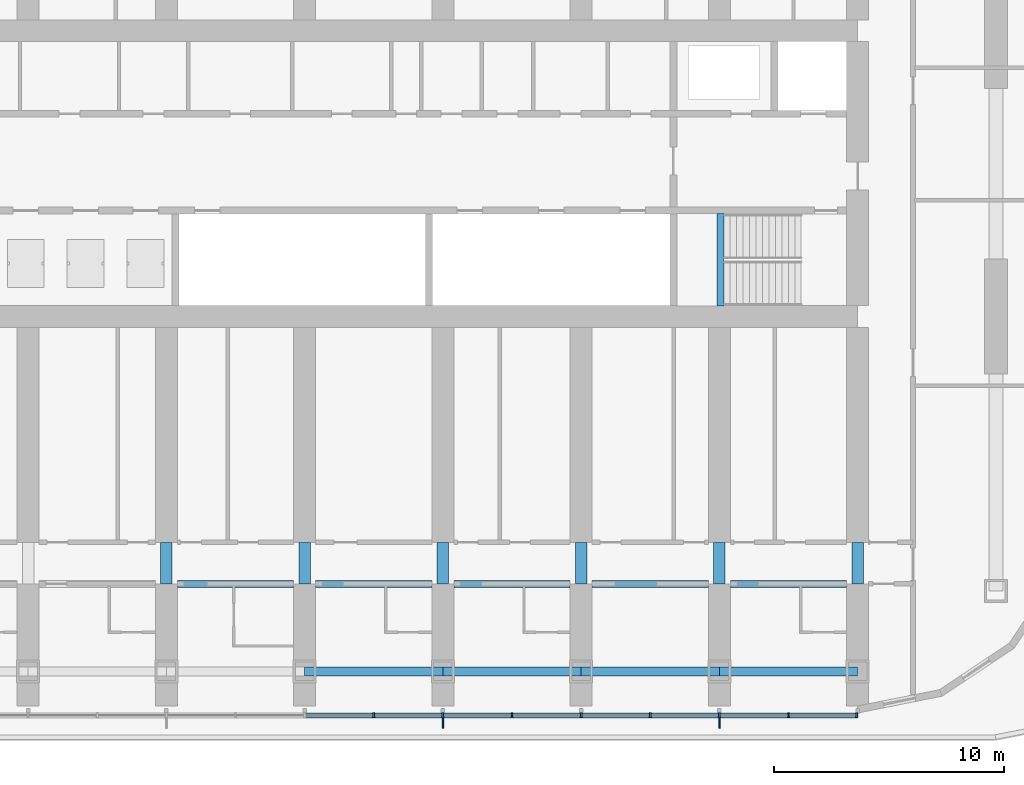
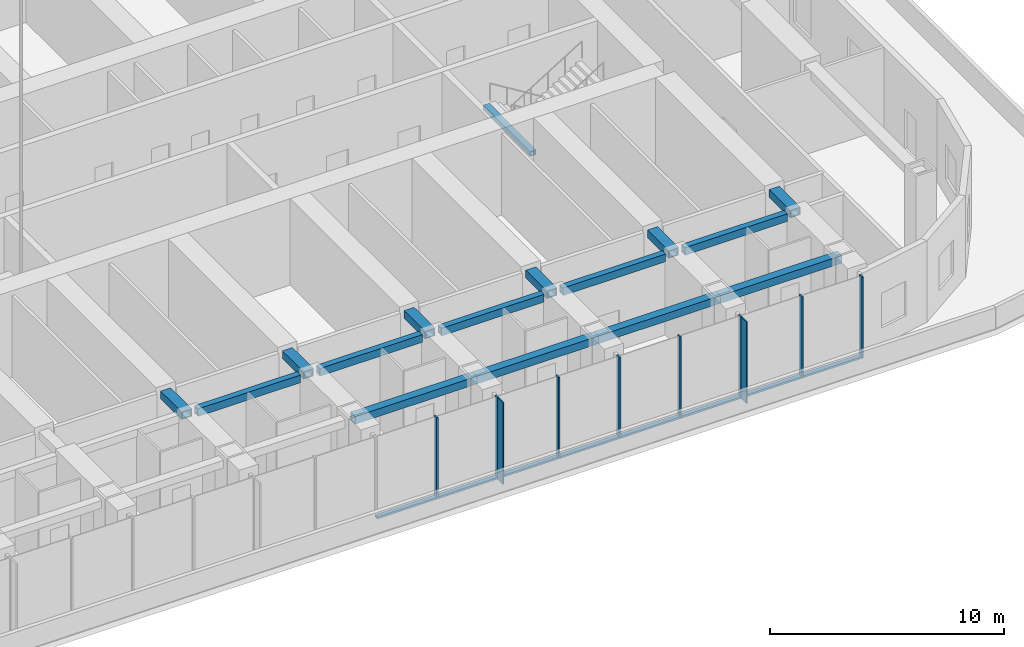
# One storey, part 3 of 31: 18 members, 16 beams, 1 element without a shape of its own.
"""IFC4 building model written with IfcOpenShell, lengths in metres."""

from ifc_helpers import new_model, si_unit, direction, frame, origin, origin_2d, place, context, subcontext, project, spatial, rectangle, hollow_rectangle, extrude, material, material_profile, profile_set, type_object, element, aggregate, save


model = new_model("IFC4")

# Units and contexts
model_context = context("Model", 3, precision=1e-05, world=origin(), true_north=direction((0.0, 1.0)))
body_context = subcontext(model_context, "Body", "Model", "MODEL_VIEW")
ifc_project = project(units=[si_unit("LENGTHUNIT", "METRE"), si_unit("AREAUNIT", "SQUARE_METRE"), si_unit("VOLUMEUNIT", "CUBIC_METRE"), si_unit("PLANEANGLEUNIT", "RADIAN"), si_unit("MASSUNIT", "GRAM", prefix="KILO")], contexts=[model_context])

# Site, building, storey
site_placement = place(None, origin())
site = spatial("IfcSite", under=ifc_project, at=site_placement, CompositionType="ELEMENT")
building_placement = place(site_placement, origin())
building = spatial("IfcBuilding", under=site, at=building_placement, Name="Orbita Commons", CompositionType="ELEMENT")
storey_placement = place(building_placement, frame((0.0, 0.0, 76.14990234375)))
storey = spatial("IfcBuildingStorey", under=building, at=storey_placement, Name="L18", CompositionType="ELEMENT", Elevation=76.14990234375)

# Curtain wall, members
ifc_material_1 = material(Name="Anodised aluminium frame, pale silver", Category="aluminium")
curtain_wall_type = type_object("IfcCurtainWallType", Name="Unitised curtain wall CW-S, full-height", PredefinedType="NOTDEFINED", material=ifc_material_1)
curtain_wall_placement = place(storey_placement, origin())
curtain_wall = element("IfcCurtainWall", 1, at=curtain_wall_placement, inside=storey, type_object=curtain_wall_type, Name="Curtain wall south L18", PredefinedType="NOTDEFINED")
ifc_material_2 = material(Name="Anodised aluminium, pale silver", Category="aluminium")
ifc_material_profile_1 = material_profile(ifc_material_2, rectangle(XDim=0.080078125, YDim=0.219970703125, at=origin_2d()), Name="AL 80x220")
ifc_profile_set_1 = profile_set([ifc_material_profile_1], Name="Anodised aluminium, pale silver")
member_type_1 = type_object("IfcMemberType", Name="Curtain wall mullion 80x220", PredefinedType="MULLION", material=ifc_profile_set_1)
member_1_placement = place(storey_placement, frame((45.0, 8.489990234375, 0.0), z_axis=(0.0, 0.0, 1.0), x_axis=(1.0, 0.0, 0.0)))
member_1 = element("IfcMember", 2, at=member_1_placement, type_object=member_type_1, Name="Mullion 12 CW-L18-S", PredefinedType="MULLION", context=body_context, shape_type="SweptSolid", body=[
    extrude(rectangle(XDim=0.080078125, YDim=0.219970703125, at=origin_2d()), origin(), (0.0, 0.0, 1.0), 4.25),
])
member_2_placement = place(storey_placement, frame((48.0, 8.489990234375, 0.0), z_axis=(0.0, 0.0, 1.0), x_axis=(1.0, 0.0, 0.0)))
member_2 = element("IfcMember", 3, at=member_2_placement, type_object=member_type_1, Name="Mullion 13 CW-L18-S", PredefinedType="MULLION", context=body_context, shape_type="SweptSolid", body=[
    extrude(rectangle(XDim=0.080078125, YDim=0.219970703125, at=origin_2d()), origin(), (0.0, 0.0, 1.0), 4.25),
])
member_3_placement = place(storey_placement, frame((51.0, 8.489990234375, 0.0), z_axis=(0.0, 0.0, 1.0), x_axis=(1.0, 0.0, 0.0)))
member_3 = element("IfcMember", 4, at=member_3_placement, type_object=member_type_1, Name="Mullion 14 CW-L18-S", PredefinedType="MULLION", context=body_context, shape_type="SweptSolid", body=[
    extrude(rectangle(XDim=0.080078125, YDim=0.219970703125, at=origin_2d()), origin(), (0.0, 0.0, 1.0), 4.25),
])
member_4_placement = place(storey_placement, frame((54.0, 8.489990234375, 0.0), z_axis=(0.0, 0.0, 1.0), x_axis=(1.0, 0.0, 0.0)))
member_4 = element("IfcMember", 5, at=member_4_placement, type_object=member_type_1, Name="Mullion 15 CW-L18-S", PredefinedType="MULLION", context=body_context, shape_type="SweptSolid", body=[
    extrude(rectangle(XDim=0.080078125, YDim=0.219970703125, at=origin_2d()), origin(), (0.0, 0.0, 1.0), 4.25),
])
member_5_placement = place(storey_placement, frame((57.0, 8.489990234375, 0.0), z_axis=(0.0, 0.0, 1.0), x_axis=(1.0, 0.0, 0.0)))
member_5 = element("IfcMember", 6, at=member_5_placement, type_object=member_type_1, Name="Mullion 16 CW-L18-S", PredefinedType="MULLION", context=body_context, shape_type="SweptSolid", body=[
    extrude(rectangle(XDim=0.080078125, YDim=0.219970703125, at=origin_2d()), origin(), (0.0, 0.0, 1.0), 4.25),
])
member_6_placement = place(storey_placement, frame((60.0, 8.489990234375, 0.0), z_axis=(0.0, 0.0, 1.0), x_axis=(1.0, 0.0, 0.0)))
member_6 = element("IfcMember", 7, at=member_6_placement, type_object=member_type_1, Name="Mullion 17 CW-L18-S", PredefinedType="MULLION", context=body_context, shape_type="SweptSolid", body=[
    extrude(rectangle(XDim=0.080078125, YDim=0.219970703125, at=origin_2d()), origin(), (0.0, 0.0, 1.0), 4.25),
])
member_7_placement = place(storey_placement, frame((63.0, 8.489990234375, 0.0), z_axis=(0.0, 0.0, 1.0), x_axis=(1.0, 0.0, 0.0)))
member_7 = element("IfcMember", 8, at=member_7_placement, type_object=member_type_1, Name="Mullion 18 CW-L18-S", PredefinedType="MULLION", context=body_context, shape_type="SweptSolid", body=[
    extrude(rectangle(XDim=0.080078125, YDim=0.219970703125, at=origin_2d()), origin(), (0.0, 0.0, 1.0), 4.25),
])
member_8_placement = place(storey_placement, frame((65.9599609375, 8.489990234375, 0.0), z_axis=(0.0, 0.0, 1.0), x_axis=(1.0, 0.0, 0.0)))
member_8 = element("IfcMember", 9, at=member_8_placement, type_object=member_type_1, Name="Mullion 19 CW-L18-S", PredefinedType="MULLION", context=body_context, shape_type="SweptSolid", body=[
    extrude(rectangle(XDim=0.080078125, YDim=0.219970703125, at=origin_2d()), origin(), (0.0, 0.0, 1.0), 4.25),
])
ifc_material_3 = material(Name="Anodised aluminium, pale silver", Category="aluminium")
ifc_material_profile_2 = material_profile(ifc_material_3, rectangle(XDim=0.219970703125, YDim=0.10009765625, at=origin_2d()), Name="AL 220x100")
ifc_profile_set_2 = profile_set([ifc_material_profile_2], Name="Anodised aluminium, pale silver")
member_type_2 = type_object("IfcMemberType", Name="Curtain wall stack transom 220x100", PredefinedType="USERDEFINED", material=ifc_profile_set_2)
member_9_placement = place(storey_placement, frame((42.0400390625, 8.489990234375, 0.050048828125), z_axis=(1.0, 0.0, 0.0), x_axis=(0.0, 1.0, 0.0)))
member_9 = element("IfcMember", 10, at=member_9_placement, type_object=member_type_2, Name="Transom 11.1 CW-L18-S", ObjectType="TRANSOM", PredefinedType="USERDEFINED", context=body_context, shape_type="SweptSolid", body=[
    extrude(rectangle(XDim=0.219970703125, YDim=0.10009765625, at=origin_2d()), origin(), (0.0, 0.0, 1.0), 2.919921875),
])
member_10_placement = place(storey_placement, frame((45.0400390625, 8.489990234375, 0.050048828125), z_axis=(1.0, 0.0, 0.0), x_axis=(0.0, 1.0, 0.0)))
member_10 = element("IfcMember", 11, at=member_10_placement, type_object=member_type_2, Name="Transom 12.1 CW-L18-S", ObjectType="TRANSOM", PredefinedType="USERDEFINED", context=body_context, shape_type="SweptSolid", body=[
    extrude(rectangle(XDim=0.219970703125, YDim=0.10009765625, at=origin_2d()), origin(), (0.0, 0.0, 1.0), 2.919921875),
])
member_11_placement = place(storey_placement, frame((48.0400390625, 8.489990234375, 0.050048828125), z_axis=(1.0, 0.0, 0.0), x_axis=(0.0, 1.0, 0.0)))
member_11 = element("IfcMember", 12, at=member_11_placement, type_object=member_type_2, Name="Transom 13.1 CW-L18-S", ObjectType="TRANSOM", PredefinedType="USERDEFINED", context=body_context, shape_type="SweptSolid", body=[
    extrude(rectangle(XDim=0.219970703125, YDim=0.10009765625, at=origin_2d()), origin(), (0.0, 0.0, 1.0), 2.919921875),
])
member_12_placement = place(storey_placement, frame((51.0400390625, 8.489990234375, 0.050048828125), z_axis=(1.0, 0.0, 0.0), x_axis=(0.0, 1.0, 0.0)))
member_12 = element("IfcMember", 13, at=member_12_placement, type_object=member_type_2, Name="Transom 14.1 CW-L18-S", ObjectType="TRANSOM", PredefinedType="USERDEFINED", context=body_context, shape_type="SweptSolid", body=[
    extrude(rectangle(XDim=0.219970703125, YDim=0.10009765625, at=origin_2d()), origin(), (0.0, 0.0, 1.0), 2.919921875),
])
member_13_placement = place(storey_placement, frame((54.0400390625, 8.489990234375, 0.050048828125), z_axis=(1.0, 0.0, 0.0), x_axis=(0.0, 1.0, 0.0)))
member_13 = element("IfcMember", 14, at=member_13_placement, type_object=member_type_2, Name="Transom 15.1 CW-L18-S", ObjectType="TRANSOM", PredefinedType="USERDEFINED", context=body_context, shape_type="SweptSolid", body=[
    extrude(rectangle(XDim=0.219970703125, YDim=0.10009765625, at=origin_2d()), origin(), (0.0, 0.0, 1.0), 2.919921875),
])
member_14_placement = place(storey_placement, frame((57.0400390625, 8.489990234375, 0.050048828125), z_axis=(1.0, 0.0, 0.0), x_axis=(0.0, 1.0, 0.0)))
member_14 = element("IfcMember", 15, at=member_14_placement, type_object=member_type_2, Name="Transom 16.1 CW-L18-S", ObjectType="TRANSOM", PredefinedType="USERDEFINED", context=body_context, shape_type="SweptSolid", body=[
    extrude(rectangle(XDim=0.219970703125, YDim=0.10009765625, at=origin_2d()), origin(), (0.0, 0.0, 1.0), 2.919921875),
])
member_15_placement = place(storey_placement, frame((60.0400390625, 8.489990234375, 0.050048828125), z_axis=(1.0, 0.0, 0.0), x_axis=(0.0, 1.0, 0.0)))
member_15 = element("IfcMember", 16, at=member_15_placement, type_object=member_type_2, Name="Transom 17.1 CW-L18-S", ObjectType="TRANSOM", PredefinedType="USERDEFINED", context=body_context, shape_type="SweptSolid", body=[
    extrude(rectangle(XDim=0.219970703125, YDim=0.10009765625, at=origin_2d()), origin(), (0.0, 0.0, 1.0), 2.919921875),
])
member_16_placement = place(storey_placement, frame((63.0400390625, 8.489990234375, 0.050048828125), z_axis=(1.0, 0.0, 0.0), x_axis=(0.0, 1.0, 0.0)))
member_16 = element("IfcMember", 17, at=member_16_placement, type_object=member_type_2, Name="Transom 18.1 CW-L18-S", ObjectType="TRANSOM", PredefinedType="USERDEFINED", context=body_context, shape_type="SweptSolid", body=[
    extrude(rectangle(XDim=0.219970703125, YDim=0.10009765625, at=origin_2d()), origin(), (0.0, 0.0, 1.0), 2.8798828125),
])

# Beams
ifc_material_4 = material(Name="Steel ASTM A572 Gr 50 welded plate", Category="steel")
ifc_material_profile_3 = material_profile(ifc_material_4, hollow_rectangle(XDim=0.300048828125, YDim=0.25, WallThickness=0.02490234375, at=origin_2d()), Name="BOX 250x300x25")
ifc_profile_set_3 = profile_set([ifc_material_profile_3], Name="Steel ASTM A572 Gr 50 welded plate")
beam_type_1 = type_object("IfcBeamType", Name="Stair landing beam steel BOX 250x300x25", PredefinedType="BEAM", material=ifc_profile_set_3)
beam_placement = place(storey_placement, frame((60.0400390625, 26.260009765625, 1.925048828125), z_axis=(0.0, 1.0, 0.0), x_axis=(-1.0, 0.0, 0.0)))
element("IfcBeam", 18, at=beam_placement, inside=storey, type_object=beam_type_1, Name="Stair S2 landing beam L18 1", PredefinedType="BEAM", context=body_context, shape_type="SweptSolid", body=[
    extrude(hollow_rectangle(XDim=0.300048828125, YDim=0.25, WallThickness=0.02490234375, at=origin_2d()), origin(), (0.0, 0.0, 1.0), 4.0048828125),
])
ifc_material_5 = material(Name="Steel ASTM A572 Gr 50 welded plate", Category="steel")
ifc_material_profile_4 = material_profile(ifc_material_5, hollow_rectangle(XDim=0.300048828125, YDim=0.39990234375, WallThickness=0.0400390625, at=origin_2d()), Name="BOX 400x300x40")
ifc_profile_set_4 = profile_set([ifc_material_profile_4], Name="Steel ASTM A572 Gr 50 welded plate")
beam_type_2 = type_object("IfcBeamType", Name="Steel corridor link BOX 400x300x40", PredefinedType="BEAM", material=ifc_profile_set_4)
for number, where, z_axis, x_axis, name in (
    (19, (36.47509765625, 14.199951171875, 4.050048828125), (1.0, 0.0, 0.0), (0.0, 1.0, 0.0), "Corridor beam SA 7-8 L18"),
    (20, (42.47509765625, 14.199951171875, 4.050048828125), (1.0, 0.0, 0.0), (0.0, 1.0, 0.0), "Corridor beam SA 8-9 L18"),
    (21, (48.47509765625, 14.199951171875, 4.050048828125), (1.0, 0.0, 0.0), (0.0, 1.0, 0.0), "Corridor beam SA 9-10 L18"),
    (22, (54.47509765625, 14.199951171875, 4.050048828125), (1.0, 0.0, 0.0), (0.0, 1.0, 0.0), "Corridor beam SA 10-11 L18"),
    (23, (60.47509765625, 14.199951171875, 4.050048828125), (1.0, 0.0, 0.0), (0.0, 1.0, 0.0), "Corridor beam SA 11-12 L18"),
):
    element("IfcBeam", number, at=place(storey_placement, frame(where, z_axis=z_axis, x_axis=x_axis)), inside=storey, type_object=beam_type_2, Name=name, PredefinedType="BEAM", context=body_context, shape_type="SweptSolid", body=[
        extrude(hollow_rectangle(XDim=0.300048828125, YDim=0.39990234375, WallThickness=0.0400390625, at=origin_2d()), origin(), (0.0, 0.0, 1.0), 5.0498046875),
    ])
ifc_material_6 = material(Name="Steel ASTM A572 Gr 50 welded plate", Category="steel")
ifc_material_profile_5 = material_profile(ifc_material_6, hollow_rectangle(XDim=0.5, YDim=0.39990234375, WallThickness=0.050048828125, at=origin_2d()), Name="BOX 400x500x50")
ifc_profile_set_5 = profile_set([ifc_material_profile_5], Name="Steel ASTM A572 Gr 50 welded plate")
beam_type_3 = type_object("IfcBeamType", Name="Steel coupling link BOX 400x500x50", PredefinedType="LINTEL", material=ifc_profile_set_5)
for number, where, z_axis, x_axis, name in (
    (24, (36.0, 14.199951171875, 4.050048828125), (0.0, 1.0, 0.0), (-1.0, 0.0, 0.0), "Coupling beam 7 south L18"),
    (25, (42.0, 14.199951171875, 4.050048828125), (0.0, 1.0, 0.0), (-1.0, 0.0, 0.0), "Coupling beam 8 south L18"),
    (26, (48.0, 14.199951171875, 4.050048828125), (0.0, 1.0, 0.0), (-1.0, 0.0, 0.0), "Coupling beam 9 south L18"),
    (27, (54.0, 14.199951171875, 4.050048828125), (0.0, 1.0, 0.0), (-1.0, 0.0, 0.0), "Coupling beam 10 south L18"),
    (28, (60.0, 14.199951171875, 4.050048828125), (0.0, 1.0, 0.0), (-1.0, 0.0, 0.0), "Coupling beam 11 south L18"),
    (29, (66.0, 14.199951171875, 4.050048828125), (0.0, 1.0, 0.0), (-1.0, 0.0, 0.0), "Coupling beam 12 south L18"),
):
    element("IfcBeam", number, at=place(storey_placement, frame(where, z_axis=z_axis, x_axis=x_axis)), inside=storey, type_object=beam_type_3, Name=name, PredefinedType="LINTEL", context=body_context, shape_type="SweptSolid", body=[
        extrude(hollow_rectangle(XDim=0.5, YDim=0.39990234375, WallThickness=0.050048828125, at=origin_2d()), origin(), (0.0, 0.0, 1.0), 1.800048828125),
    ])
ifc_material_7 = material(Name="Steel ASTM A572 Gr 50 welded plate", Category="steel")
ifc_material_profile_6 = material_profile(ifc_material_7, hollow_rectangle(XDim=0.39990234375, YDim=0.39990234375, WallThickness=0.0400390625, at=origin_2d()), Name="BOX 400x400x40")
ifc_profile_set_6 = profile_set([ifc_material_profile_6], Name="Steel ASTM A572 Gr 50 welded plate")
beam_type_4 = type_object("IfcBeamType", Name="Steel spandrel BOX 400x400x40", PredefinedType="SPANDREL", material=ifc_profile_set_6)
for number, where, z_axis, x_axis, name in (
    (30, (42.0, 10.39990234375, 4.050048828125), (1.0, 0.0, 0.0), (0.0, 1.0, 0.0), "Spandrel beam B 8-9 L18"),
    (31, (48.0, 10.39990234375, 4.050048828125), (1.0, 0.0, 0.0), (0.0, 1.0, 0.0), "Spandrel beam B 9-10 L18"),
    (32, (54.0, 10.39990234375, 4.050048828125), (1.0, 0.0, 0.0), (0.0, 1.0, 0.0), "Spandrel beam B 10-11 L18"),
    (33, (60.0, 10.39990234375, 4.050048828125), (1.0, 0.0, 0.0), (0.0, 1.0, 0.0), "Spandrel beam B 11-12 L18"),
):
    element("IfcBeam", number, at=place(storey_placement, frame(where, z_axis=z_axis, x_axis=x_axis)), inside=storey, type_object=beam_type_4, Name=name, PredefinedType="SPANDREL", context=body_context, shape_type="SweptSolid", body=[
        extrude(hollow_rectangle(XDim=0.39990234375, YDim=0.39990234375, WallThickness=0.0400390625, at=origin_2d()), origin(), (0.0, 0.0, 1.0), 6.0),
    ])

# Member
ifc_material_8 = material(Name="Anodised aluminium, pale silver", Category="aluminium")
ifc_material_profile_7 = material_profile(ifc_material_8, rectangle(XDim=0.06005859375, YDim=0.449951171875, at=origin_2d()), Name="FIN 60x450")
ifc_profile_set_7 = profile_set([ifc_material_profile_7], Name="Anodised aluminium, pale silver")
member_type_3 = type_object("IfcMemberType", Name="Vertical fin 60x450 pale aluminium", PredefinedType="USERDEFINED", material=ifc_profile_set_7)
member_17_placement = place(storey_placement, frame((48.0, 8.155029296875, 0.0), z_axis=(0.0, 0.0, 1.0), x_axis=(1.0, 0.0, 0.0)))
member_17 = element("IfcMember", 34, at=member_17_placement, type_object=member_type_3, Name="Fin 13 CW-L18-S", ObjectType="FIN", PredefinedType="USERDEFINED", context=body_context, shape_type="SweptSolid", body=[
    extrude(rectangle(XDim=0.06005859375, YDim=0.449951171875, at=origin_2d()), origin(), (0.0, 0.0, 1.0), 4.25),
])

member_18_placement = place(storey_placement, frame((60.0, 8.155029296875, 0.0), z_axis=(0.0, 0.0, 1.0), x_axis=(1.0, 0.0, 0.0)))
member_18 = element("IfcMember", 35, at=member_18_placement, type_object=member_type_3, Name="Fin 17 CW-L18-S", ObjectType="FIN", PredefinedType="USERDEFINED", context=body_context, shape_type="SweptSolid", body=[
    extrude(rectangle(XDim=0.06005859375, YDim=0.449951171875, at=origin_2d()), origin(), (0.0, 0.0, 1.0), 4.25),
])

aggregate(curtain_wall, [member_1, member_2, member_17, member_3, member_4, member_5, member_6, member_18, member_7, member_8, member_9, member_10, member_11, member_12, member_13, member_14, member_15, member_16])

save(model, "model.ifc")
